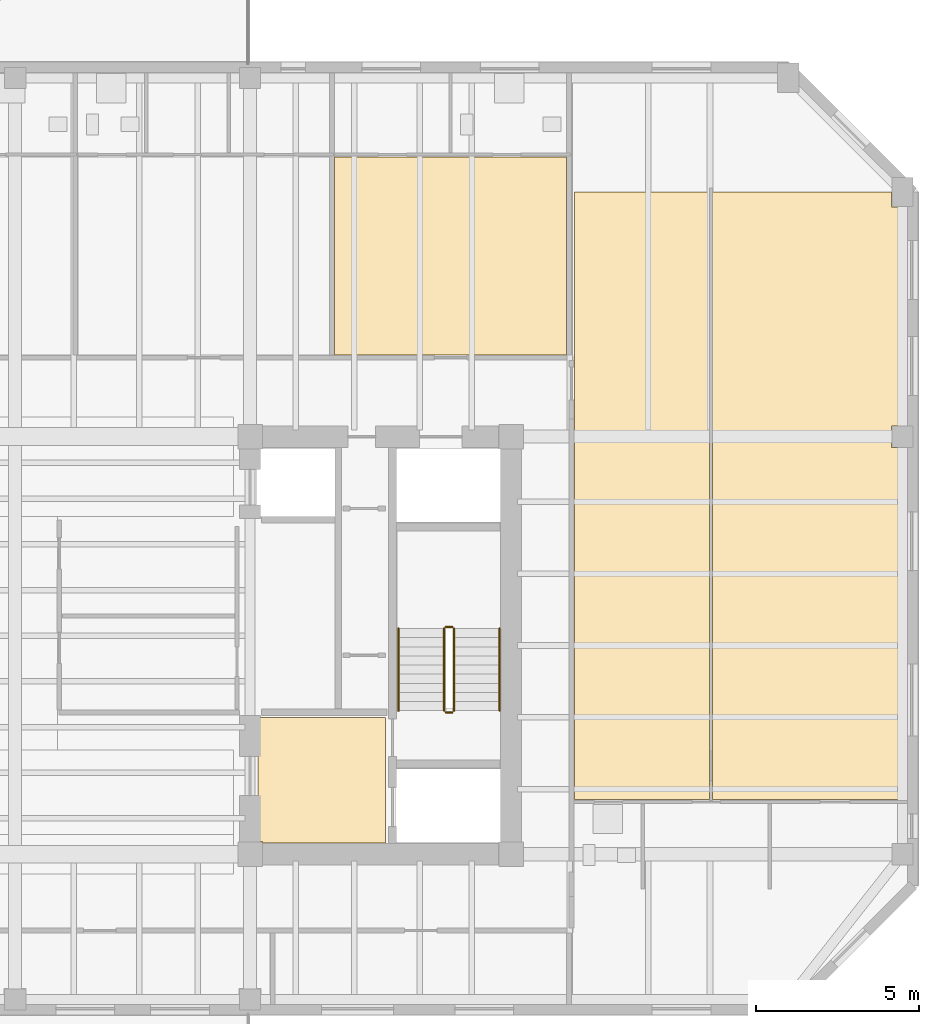
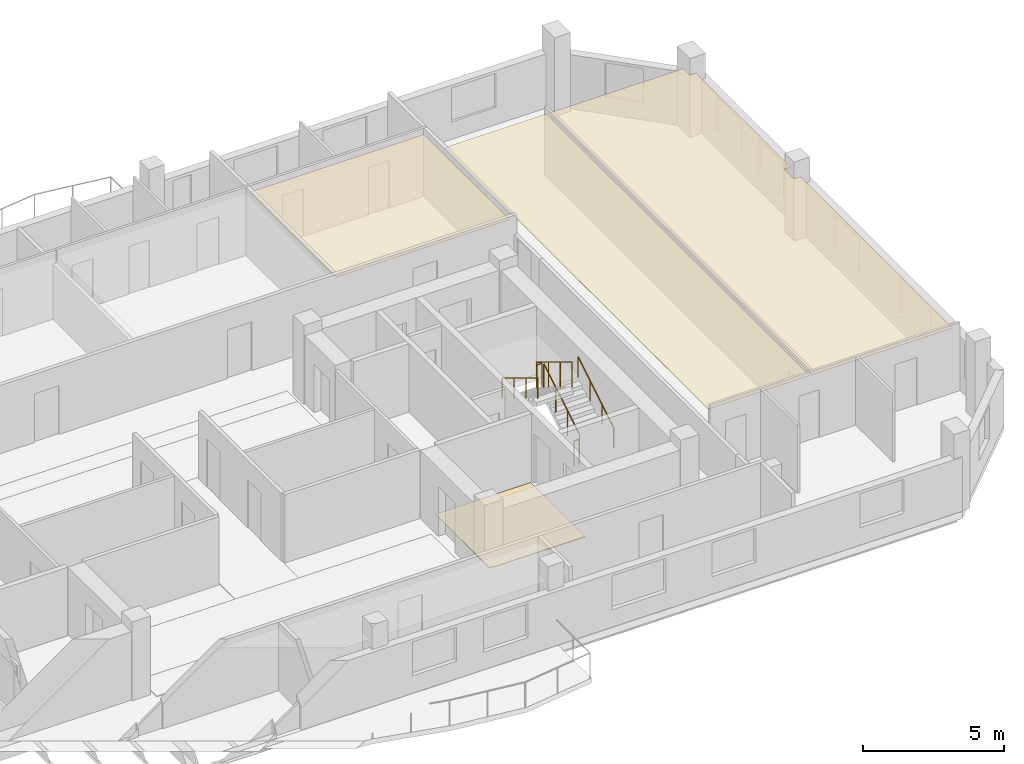
# One storey, part 9 of 10: 6 railings, 4 coverings.
"""IFC4 building model written with IfcOpenShell, lengths in metres."""

from ifc_helpers import new_model, si_unit, direction, frame, origin, origin_2d, place, context, subcontext, project, spatial, polyline, circle, outline, extrude, material, layer, layer_set, type_object, element, save


model = new_model("IFC4")

# Units and contexts
model_context = context("Model", 3, precision=1e-05, world=origin(), true_north=direction((0.0, 1.0)))
body_context = subcontext(model_context, "Body", "Model", "MODEL_VIEW")
ifc_project = project(units=[si_unit("LENGTHUNIT", "METRE"), si_unit("AREAUNIT", "SQUARE_METRE"), si_unit("VOLUMEUNIT", "CUBIC_METRE"), si_unit("PLANEANGLEUNIT", "RADIAN"), si_unit("MASSUNIT", "GRAM", prefix="KILO")], contexts=[model_context])

# Site, building, storey
site_placement = place(None, origin())
site = spatial("IfcSite", under=ifc_project, at=site_placement, CompositionType="ELEMENT")
building_placement = place(site_placement, origin())
building = spatial("IfcBuilding", under=site, at=building_placement, Name="Kranthara Brick Stack", CompositionType="ELEMENT")
storey_placement = place(building_placement, frame((0.0, 0.0, 265.300048828125)))
storey = spatial("IfcBuildingStorey", under=building, at=storey_placement, Name="L70", CompositionType="ELEMENT", Elevation=265.300048828125)

# Coverings
ifc_material_1 = material(Name="Perforated mineral-fibre acoustic ceiling tile", Category="other")
ifc_layer_1 = layer(ifc_material_1, 0.02490234375)
ifc_layer_set_1 = layer_set([ifc_layer_1], Name="Perforated mineral-fibre acoustic ceiling tile")
covering_type_1 = type_object("IfcCoveringType", Name="COV-CEIL-ACOUSTIC", PredefinedType="CEILING", material=ifc_layer_set_1)
covering_1_placement = place(storey_placement, frame((0.0, 0.0, 2.679931640625)))
element("IfcCovering", 1, at=covering_1_placement, inside=storey, type_object=covering_type_1, Name="L70 Unit L70D Studio Apartment Living Acoustic Ceiling", PredefinedType="CEILING", context=body_context, shape_type="SweptSolid", body=[
    extrude(outline(polyline([(44.89990234375, 36.10009765625), (44.89990234375, 42.169921875), (37.79296875, 42.169921875), (37.79296875, 36.10009765625), (44.89990234375, 36.10009765625)])), origin(), (0.0, 0.0, 1.0), 0.02490234375),
])
covering_2_placement = place(storey_placement, frame((0.0, 0.0, 2.679931640625)))
element("IfcCovering", 2, at=covering_2_placement, inside=storey, type_object=covering_type_1, Name="L70 Unit L70E 1-Bed Apartment Living Dining Acoustic Ceiling", PredefinedType="CEILING", context=body_context, shape_type="SweptSolid", body=[
    extrude(outline(polyline([(49.279052734375, 22.47998046875), (49.279052734375, 41.10009765625), (45.139892578125, 41.10009765625), (45.139892578125, 22.47998046875), (49.279052734375, 22.47998046875)])), origin(), (0.0, 0.0, 1.0), 0.02490234375),
])
covering_3_placement = place(storey_placement, frame((0.0, 0.0, 2.679931640625)))
element("IfcCovering", 3, at=covering_3_placement, inside=storey, type_object=covering_type_1, Name="L70 Unit L70E Private Study Room Acoustic Ceiling", PredefinedType="CEILING", context=body_context, shape_type="SweptSolid", body=[
    extrude(outline(polyline([(49.37890625, 22.47998046875), (49.37890625, 41.10009765625), (54.864990234375, 41.10009765625), (54.864990234375, 40.639892578125), (55.1298828125, 40.639892578125), (55.1298828125, 33.93505859375), (54.864990234375, 33.93505859375), (54.864990234375, 33.264892578125), (55.1298828125, 33.264892578125), (55.1298828125, 22.47998046875), (49.37890625, 22.47998046875)])), origin(), (0.0, 0.0, 1.0), 0.02490234375),
])
ifc_material_2 = material(Name="Honed terrazzo and porcelain floor finish", Category="stone")
ifc_layer_2 = layer(ifc_material_2, 0.030029296875)
ifc_layer_set_2 = layer_set([ifc_layer_2], Name="Honed terrazzo and porcelain floor finish")
covering_type_2 = type_object("IfcCoveringType", Name="COV-FLOR-STONE", PredefinedType="FLOORING", material=ifc_layer_set_2)
covering_4_placement = place(storey_placement, origin())
element("IfcCovering", 4, at=covering_4_placement, inside=storey, type_object=covering_type_2, Name="L70 Lift Lobby Stone Flooring", PredefinedType="FLOORING", context=body_context, shape_type="SweptSolid", body=[
    extrude(outline(polyline([(35.449951171875, 25.0), (39.35009765625, 25.0), (39.35009765625, 21.14990234375), (35.5849609375, 21.14990234375), (35.5849609375, 21.18505859375), (35.449951171875, 21.18505859375), (35.449951171875, 25.0)])), origin(), (0.0, 0.0, 1.0), 0.030029296875),
])

# Railings
ifc_material_3 = material(Name="Painted galvanized steel stair guardrail", Category="steel")
railing_type_1 = type_object("IfcRailingType", Name="RL-STAIR-GUARD-1100", PredefinedType="GUARDRAIL", material=ifc_material_3)
railing_1_placement = place(storey_placement, frame((41.449951171875, 25.199951171875, 0.169921875)))
element("IfcRailing", 5, at=railing_1_placement, inside=storey, type_object=railing_type_1, Name="L70 ST02 stair guard 1", PredefinedType="GUARDRAIL", context=body_context, shape_type="SweptSolid", body=[
    extrude(circle(Radius=0.02392578125, at=origin_2d()), frame((0.0, 0.0, 1.076171875), z_axis=(0.0, 0.85478489116, 0.518982456201), x_axis=(-1.0, 0.0, 0.0)), (0.0, 0.0, 1.0), 2.9482421875),
    extrude(circle(Radius=0.02099609375, at=origin_2d()), origin(), (0.0, 0.0, 1.0), 1.052001953125),
    extrude(circle(Radius=0.02099609375, at=origin_2d()), frame((0.0, 0.840087890625, 0.510009765625)), (0.0, 0.0, 1.0), 1.052001953125),
    extrude(circle(Radius=0.02099609375, at=origin_2d()), frame((0.0, 1.679931640625, 1.02001953125)), (0.0, 0.0, 1.0), 1.052001953125),
    extrude(circle(Radius=0.02099609375, at=origin_2d()), frame((0.0, 2.52001953125, 1.530029296875)), (0.0, 0.0, 1.0), 1.052001953125),
])
railing_2_placement = place(storey_placement, frame((41.39990234375, 27.77001953125, 1.699951171875)))
element("IfcRailing", 6, at=railing_2_placement, inside=storey, type_object=railing_type_1, Name="L70 ST02 stair guard 2", PredefinedType="GUARDRAIL", context=body_context, shape_type="SweptSolid", body=[
    extrude(circle(Radius=0.02392578125, at=origin_2d()), frame((0.0, 0.0, 1.076171875), z_axis=(-1.0, 0.0, 0.0), x_axis=(0.0, -1.0, 0.0)), (0.0, 0.0, 1.0), 0.199951171875),
    extrude(circle(Radius=0.02099609375, at=origin_2d()), origin(), (0.0, 0.0, 1.0), 1.052001953125),
    extrude(circle(Radius=0.02099609375, at=origin_2d()), frame((-0.199951171875, 0.0, 0.0)), (0.0, 0.0, 1.0), 1.052001953125),
])
railing_3_placement = place(storey_placement, frame((41.14990234375, 27.719970703125, 1.869873046875)))
element("IfcRailing", 7, at=railing_3_placement, inside=storey, type_object=railing_type_1, Name="L70 ST02 stair guard 3", PredefinedType="GUARDRAIL", context=body_context, shape_type="SweptSolid", body=[
    extrude(circle(Radius=0.02392578125, at=origin_2d()), frame((0.0, 0.0, 1.076171875), z_axis=(0.0, -0.85478489116, 0.518982456201), x_axis=(1.0, 0.0, 0.0)), (0.0, 0.0, 1.0), 2.9482421875),
    extrude(circle(Radius=0.02099609375, at=origin_2d()), origin(), (0.0, 0.0, 1.0), 1.052001953125),
    extrude(circle(Radius=0.02099609375, at=origin_2d()), frame((0.0, -0.840087890625, 0.510009765625)), (0.0, 0.0, 1.0), 1.052001953125),
    extrude(circle(Radius=0.02099609375, at=origin_2d()), frame((0.0, -1.679931640625, 1.02001953125)), (0.0, 0.0, 1.0), 1.052001953125),
    extrude(circle(Radius=0.02099609375, at=origin_2d()), frame((0.0, -2.52001953125, 1.530029296875)), (0.0, 0.0, 1.0), 1.052001953125),
])
railing_4_placement = place(storey_placement, frame((41.39990234375, 25.14990234375, 0.0)))
element("IfcRailing", 8, at=railing_4_placement, inside=storey, type_object=railing_type_1, Name="L70 ST02 stair guard 4", PredefinedType="GUARDRAIL", context=body_context, shape_type="SweptSolid", body=[
    extrude(circle(Radius=0.02392578125, at=origin_2d()), frame((0.0, 0.0, 1.076171875), z_axis=(-1.0, 0.0, 0.0), x_axis=(0.0, -1.0, 0.0)), (0.0, 0.0, 1.0), 0.199951171875),
    extrude(circle(Radius=0.02099609375, at=origin_2d()), origin(), (0.0, 0.0, 1.0), 1.052001953125),
    extrude(circle(Radius=0.02099609375, at=origin_2d()), frame((-0.199951171875, 0.0, 0.0)), (0.0, 0.0, 1.0), 1.052001953125),
])
ifc_material_4 = material(Name="Brushed stainless steel tubular handrail", Category="steel")
railing_type_2 = type_object("IfcRailingType", Name="RL-STAIR-HAND-900", PredefinedType="HANDRAIL", material=ifc_material_4)
railing_5_placement = place(storey_placement, frame((42.85009765625, 25.199951171875, 0.169921875)))
element("IfcRailing", 9, at=railing_5_placement, inside=storey, type_object=railing_type_2, Name="L70 ST02 stair handrail 1", PredefinedType="HANDRAIL", context=body_context, shape_type="SweptSolid", body=[
    extrude(circle(Radius=0.02392578125, at=origin_2d()), frame((0.0, 0.0, 0.8759765625), z_axis=(0.0, 0.85478489116, 0.518982456201), x_axis=(-1.0, 0.0, 0.0)), (0.0, 0.0, 1.0), 2.9482421875),
    extrude(circle(Radius=0.02099609375, at=origin_2d()), origin(), (0.0, 0.0, 1.0), 0.851806640625),
    extrude(circle(Radius=0.02099609375, at=origin_2d()), frame((0.0, 0.840087890625, 0.510009765625)), (0.0, 0.0, 1.0), 0.851806640625),
    extrude(circle(Radius=0.02099609375, at=origin_2d()), frame((0.0, 1.679931640625, 1.02001953125)), (0.0, 0.0, 1.0), 0.851806640625),
    extrude(circle(Radius=0.02099609375, at=origin_2d()), frame((0.0, 2.52001953125, 1.530029296875)), (0.0, 0.0, 1.0), 0.851806640625),
])
railing_6_placement = place(storey_placement, frame((39.75, 27.719970703125, 1.869873046875)))
element("IfcRailing", 10, at=railing_6_placement, inside=storey, type_object=railing_type_2, Name="L70 ST02 stair handrail 2", PredefinedType="HANDRAIL", context=body_context, shape_type="SweptSolid", body=[
    extrude(circle(Radius=0.02392578125, at=origin_2d()), frame((0.0, 0.0, 0.8759765625), z_axis=(0.0, -0.85478489116, 0.518982456201), x_axis=(1.0, 0.0, 0.0)), (0.0, 0.0, 1.0), 2.9482421875),
    extrude(circle(Radius=0.02099609375, at=origin_2d()), origin(), (0.0, 0.0, 1.0), 0.851806640625),
    extrude(circle(Radius=0.02099609375, at=origin_2d()), frame((0.0, -0.840087890625, 0.510009765625)), (0.0, 0.0, 1.0), 0.851806640625),
    extrude(circle(Radius=0.02099609375, at=origin_2d()), frame((0.0, -1.679931640625, 1.02001953125)), (0.0, 0.0, 1.0), 0.851806640625),
    extrude(circle(Radius=0.02099609375, at=origin_2d()), frame((0.0, -2.52001953125, 1.530029296875)), (0.0, 0.0, 1.0), 0.851806640625),
])

save(model, "model.ifc")
